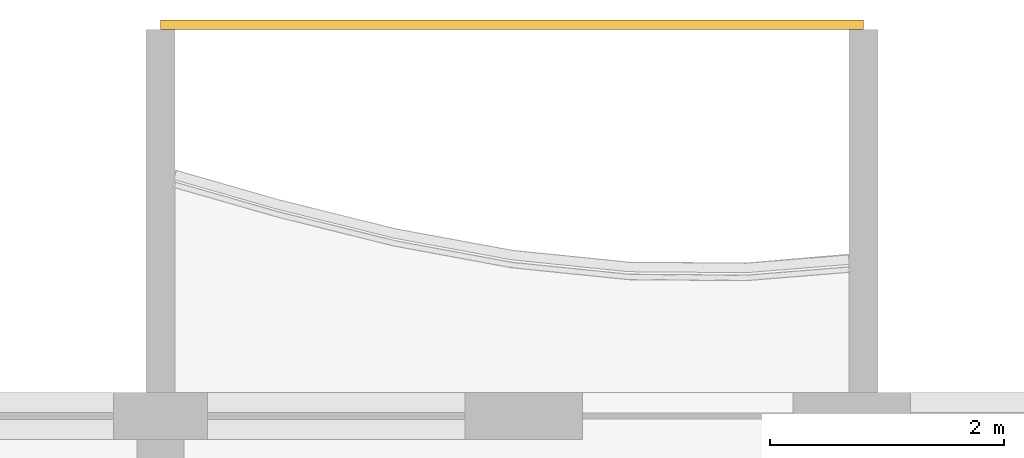
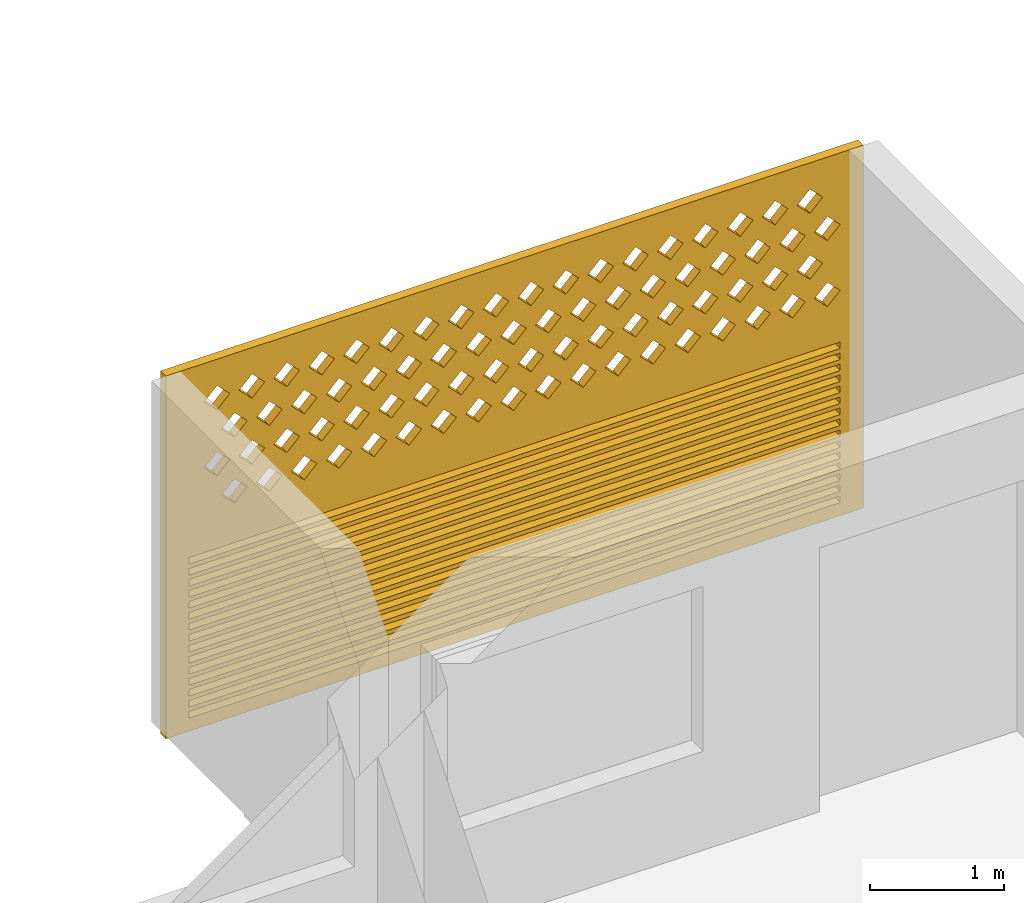
# One storey, part 27 of 38: 1 covering.
"""IFC4 building model written with IfcOpenShell, lengths in metres."""

from ifc_helpers import new_model, si_unit, direction, frame, origin, place, context, subcontext, project, spatial, polyline, outline, extrude, source, transform, mapped, material, material_profile, profile_set, type_object, element, save


model = new_model("IFC4")

# Units and contexts
model_context = context("Model", 3, precision=1e-05, world=origin(), true_north=direction((0.0, 1.0)))
body_context = subcontext(model_context, "Body", "Model", "MODEL_VIEW")
ifc_project = project(units=[si_unit("LENGTHUNIT", "METRE"), si_unit("AREAUNIT", "SQUARE_METRE"), si_unit("VOLUMEUNIT", "CUBIC_METRE"), si_unit("PLANEANGLEUNIT", "RADIAN"), si_unit("MASSUNIT", "GRAM", prefix="KILO")], contexts=[model_context])

# Site, building, storey
site_placement = place(None, origin())
site = spatial("IfcSite", under=ifc_project, at=site_placement, CompositionType="ELEMENT")
building_placement = place(site_placement, origin())
building = spatial("IfcBuilding", under=site, at=building_placement, Name="Poui Terraces", CompositionType="ELEMENT")
storey_placement = place(building_placement, frame((0.0, 0.0, 46.5)))
storey = spatial("IfcBuildingStorey", under=building, at=storey_placement, Name="L12", CompositionType="ELEMENT", Elevation=46.5)

# Covering
ifc_material = material(Name="Terracotta screen", Category="masonry")
ifc_material_profile = material_profile(ifc_material, outline(polyline([(-3.0, -1.64990234375), (3.0, -1.64990234375), (3.0, 1.64990234375), (-3.0, 1.64990234375), (-3.0, -1.64990234375)]), holes=[polyline([(-2.800048828125, 0.39990234375), (-2.68994140625, 0.2900390625), (-2.580078125, 0.39990234375), (-2.68994140625, 0.510009765625), (-2.800048828125, 0.39990234375)]), polyline([(-2.5, 0.39990234375), (-2.389892578125, 0.2900390625), (-2.280029296875, 0.39990234375), (-2.389892578125, 0.510009765625), (-2.5, 0.39990234375)]), polyline([(-2.199951171875, 0.39990234375), (-2.090087890625, 0.2900390625), (-1.97998046875, 0.39990234375), (-2.090087890625, 0.510009765625), (-2.199951171875, 0.39990234375)]), polyline([(-1.89990234375, 0.39990234375), (-1.7900390625, 0.2900390625), (-1.679931640625, 0.39990234375), (-1.7900390625, 0.510009765625), (-1.89990234375, 0.39990234375)]), polyline([(-1.60009765625, 0.39990234375), (-1.489990234375, 0.2900390625), (-1.3798828125, 0.39990234375), (-1.489990234375, 0.510009765625), (-1.60009765625, 0.39990234375)]), polyline([(-1.300048828125, 0.39990234375), (-1.18994140625, 0.2900390625), (-1.080078125, 0.39990234375), (-1.18994140625, 0.510009765625), (-1.300048828125, 0.39990234375)]), polyline([(-1.0, 0.39990234375), (-0.889892578125, 0.2900390625), (-0.780029296875, 0.39990234375), (-0.889892578125, 0.510009765625), (-1.0, 0.39990234375)]), polyline([(-0.699951171875, 0.39990234375), (-0.590087890625, 0.2900390625), (-0.47998046875, 0.39990234375), (-0.590087890625, 0.510009765625), (-0.699951171875, 0.39990234375)]), polyline([(-0.39990234375, 0.39990234375), (-0.2900390625, 0.2900390625), (-0.179931640625, 0.39990234375), (-0.2900390625, 0.510009765625), (-0.39990234375, 0.39990234375)]), polyline([(-0.10009765625, 0.39990234375), (0.010009765625, 0.2900390625), (0.1201171875, 0.39990234375), (0.010009765625, 0.510009765625), (-0.10009765625, 0.39990234375)]), polyline([(0.199951171875, 0.39990234375), (0.31005859375, 0.2900390625), (0.419921875, 0.39990234375), (0.31005859375, 0.510009765625), (0.199951171875, 0.39990234375)]), polyline([(0.5, 0.39990234375), (0.610107421875, 0.2900390625), (0.719970703125, 0.39990234375), (0.610107421875, 0.510009765625), (0.5, 0.39990234375)]), polyline([(0.800048828125, 0.39990234375), (0.909912109375, 0.2900390625), (1.02001953125, 0.39990234375), (0.909912109375, 0.510009765625), (0.800048828125, 0.39990234375)]), polyline([(1.10009765625, 0.39990234375), (1.2099609375, 0.2900390625), (1.320068359375, 0.39990234375), (1.2099609375, 0.510009765625), (1.10009765625, 0.39990234375)]), polyline([(1.39990234375, 0.39990234375), (1.510009765625, 0.2900390625), (1.6201171875, 0.39990234375), (1.510009765625, 0.510009765625), (1.39990234375, 0.39990234375)]), polyline([(1.699951171875, 0.39990234375), (1.81005859375, 0.2900390625), (1.919921875, 0.39990234375), (1.81005859375, 0.510009765625), (1.699951171875, 0.39990234375)]), polyline([(2.0, 0.39990234375), (2.110107421875, 0.2900390625), (2.219970703125, 0.39990234375), (2.110107421875, 0.510009765625), (2.0, 0.39990234375)]), polyline([(2.300048828125, 0.39990234375), (2.409912109375, 0.2900390625), (2.52001953125, 0.39990234375), (2.409912109375, 0.510009765625), (2.300048828125, 0.39990234375)]), polyline([(-2.64990234375, 0.699951171875), (-2.5400390625, 0.590087890625), (-2.429931640625, 0.699951171875), (-2.5400390625, 0.81005859375), (-2.64990234375, 0.699951171875)]), polyline([(-2.35009765625, 0.699951171875), (-2.239990234375, 0.590087890625), (-2.1298828125, 0.699951171875), (-2.239990234375, 0.81005859375), (-2.35009765625, 0.699951171875)]), polyline([(-2.050048828125, 0.699951171875), (-1.93994140625, 0.590087890625), (-1.830078125, 0.699951171875), (-1.93994140625, 0.81005859375), (-2.050048828125, 0.699951171875)]), polyline([(-1.75, 0.699951171875), (-1.639892578125, 0.590087890625), (-1.530029296875, 0.699951171875), (-1.639892578125, 0.81005859375), (-1.75, 0.699951171875)]), polyline([(-1.449951171875, 0.699951171875), (-1.340087890625, 0.590087890625), (-1.22998046875, 0.699951171875), (-1.340087890625, 0.81005859375), (-1.449951171875, 0.699951171875)]), polyline([(-1.14990234375, 0.699951171875), (-1.0400390625, 0.590087890625), (-0.929931640625, 0.699951171875), (-1.0400390625, 0.81005859375), (-1.14990234375, 0.699951171875)]), polyline([(-0.85009765625, 0.699951171875), (-0.739990234375, 0.590087890625), (-0.6298828125, 0.699951171875), (-0.739990234375, 0.81005859375), (-0.85009765625, 0.699951171875)]), polyline([(-0.550048828125, 0.699951171875), (-0.43994140625, 0.590087890625), (-0.330078125, 0.699951171875), (-0.43994140625, 0.81005859375), (-0.550048828125, 0.699951171875)]), polyline([(-0.25, 0.699951171875), (-0.139892578125, 0.590087890625), (-0.030029296875, 0.699951171875), (-0.139892578125, 0.81005859375), (-0.25, 0.699951171875)]), polyline([(0.050048828125, 0.699951171875), (0.159912109375, 0.590087890625), (0.27001953125, 0.699951171875), (0.159912109375, 0.81005859375), (0.050048828125, 0.699951171875)]), polyline([(0.35009765625, 0.699951171875), (0.4599609375, 0.590087890625), (0.570068359375, 0.699951171875), (0.4599609375, 0.81005859375), (0.35009765625, 0.699951171875)]), polyline([(0.64990234375, 0.699951171875), (0.760009765625, 0.590087890625), (0.8701171875, 0.699951171875), (0.760009765625, 0.81005859375), (0.64990234375, 0.699951171875)]), polyline([(0.949951171875, 0.699951171875), (1.06005859375, 0.590087890625), (1.169921875, 0.699951171875), (1.06005859375, 0.81005859375), (0.949951171875, 0.699951171875)]), polyline([(1.25, 0.699951171875), (1.360107421875, 0.590087890625), (1.469970703125, 0.699951171875), (1.360107421875, 0.81005859375), (1.25, 0.699951171875)]), polyline([(1.550048828125, 0.699951171875), (1.659912109375, 0.590087890625), (1.77001953125, 0.699951171875), (1.659912109375, 0.81005859375), (1.550048828125, 0.699951171875)]), polyline([(1.85009765625, 0.699951171875), (1.9599609375, 0.590087890625), (2.070068359375, 0.699951171875), (1.9599609375, 0.81005859375), (1.85009765625, 0.699951171875)]), polyline([(2.14990234375, 0.699951171875), (2.260009765625, 0.590087890625), (2.3701171875, 0.699951171875), (2.260009765625, 0.81005859375), (2.14990234375, 0.699951171875)]), polyline([(2.449951171875, 0.699951171875), (2.56005859375, 0.590087890625), (2.669921875, 0.699951171875), (2.56005859375, 0.81005859375), (2.449951171875, 0.699951171875)]), polyline([(-2.800048828125, 1.0), (-2.68994140625, 0.889892578125), (-2.580078125, 1.0), (-2.68994140625, 1.110107421875), (-2.800048828125, 1.0)]), polyline([(-2.5, 1.0), (-2.389892578125, 0.889892578125), (-2.280029296875, 1.0), (-2.389892578125, 1.110107421875), (-2.5, 1.0)]), polyline([(-2.199951171875, 1.0), (-2.090087890625, 0.889892578125), (-1.97998046875, 1.0), (-2.090087890625, 1.110107421875), (-2.199951171875, 1.0)]), polyline([(-1.89990234375, 1.0), (-1.7900390625, 0.889892578125), (-1.679931640625, 1.0), (-1.7900390625, 1.110107421875), (-1.89990234375, 1.0)]), polyline([(-1.60009765625, 1.0), (-1.489990234375, 0.889892578125), (-1.3798828125, 1.0), (-1.489990234375, 1.110107421875), (-1.60009765625, 1.0)]), polyline([(-1.300048828125, 1.0), (-1.18994140625, 0.889892578125), (-1.080078125, 1.0), (-1.18994140625, 1.110107421875), (-1.300048828125, 1.0)]), polyline([(-1.0, 1.0), (-0.889892578125, 0.889892578125), (-0.780029296875, 1.0), (-0.889892578125, 1.110107421875), (-1.0, 1.0)]), polyline([(-0.699951171875, 1.0), (-0.590087890625, 0.889892578125), (-0.47998046875, 1.0), (-0.590087890625, 1.110107421875), (-0.699951171875, 1.0)]), polyline([(-0.39990234375, 1.0), (-0.2900390625, 0.889892578125), (-0.179931640625, 1.0), (-0.2900390625, 1.110107421875), (-0.39990234375, 1.0)]), polyline([(-0.10009765625, 1.0), (0.010009765625, 0.889892578125), (0.1201171875, 1.0), (0.010009765625, 1.110107421875), (-0.10009765625, 1.0)]), polyline([(0.199951171875, 1.0), (0.31005859375, 0.889892578125), (0.419921875, 1.0), (0.31005859375, 1.110107421875), (0.199951171875, 1.0)]), polyline([(0.5, 1.0), (0.610107421875, 0.889892578125), (0.719970703125, 1.0), (0.610107421875, 1.110107421875), (0.5, 1.0)]), polyline([(0.800048828125, 1.0), (0.909912109375, 0.889892578125), (1.02001953125, 1.0), (0.909912109375, 1.110107421875), (0.800048828125, 1.0)]), polyline([(1.10009765625, 1.0), (1.2099609375, 0.889892578125), (1.320068359375, 1.0), (1.2099609375, 1.110107421875), (1.10009765625, 1.0)]), polyline([(1.39990234375, 1.0), (1.510009765625, 0.889892578125), (1.6201171875, 1.0), (1.510009765625, 1.110107421875), (1.39990234375, 1.0)]), polyline([(1.699951171875, 1.0), (1.81005859375, 0.889892578125), (1.919921875, 1.0), (1.81005859375, 1.110107421875), (1.699951171875, 1.0)]), polyline([(2.0, 1.0), (2.110107421875, 0.889892578125), (2.219970703125, 1.0), (2.110107421875, 1.110107421875), (2.0, 1.0)]), polyline([(2.300048828125, 1.0), (2.409912109375, 0.889892578125), (2.52001953125, 1.0), (2.409912109375, 1.110107421875), (2.300048828125, 1.0)]), polyline([(-2.64990234375, 1.300048828125), (-2.5400390625, 1.18994140625), (-2.429931640625, 1.300048828125), (-2.5400390625, 1.409912109375), (-2.64990234375, 1.300048828125)]), polyline([(-2.35009765625, 1.300048828125), (-2.239990234375, 1.18994140625), (-2.1298828125, 1.300048828125), (-2.239990234375, 1.409912109375), (-2.35009765625, 1.300048828125)]), polyline([(-2.050048828125, 1.300048828125), (-1.93994140625, 1.18994140625), (-1.830078125, 1.300048828125), (-1.93994140625, 1.409912109375), (-2.050048828125, 1.300048828125)]), polyline([(-1.75, 1.300048828125), (-1.639892578125, 1.18994140625), (-1.530029296875, 1.300048828125), (-1.639892578125, 1.409912109375), (-1.75, 1.300048828125)]), polyline([(-1.449951171875, 1.300048828125), (-1.340087890625, 1.18994140625), (-1.22998046875, 1.300048828125), (-1.340087890625, 1.409912109375), (-1.449951171875, 1.300048828125)]), polyline([(-1.14990234375, 1.300048828125), (-1.0400390625, 1.18994140625), (-0.929931640625, 1.300048828125), (-1.0400390625, 1.409912109375), (-1.14990234375, 1.300048828125)]), polyline([(-0.85009765625, 1.300048828125), (-0.739990234375, 1.18994140625), (-0.6298828125, 1.300048828125), (-0.739990234375, 1.409912109375), (-0.85009765625, 1.300048828125)]), polyline([(-0.550048828125, 1.300048828125), (-0.43994140625, 1.18994140625), (-0.330078125, 1.300048828125), (-0.43994140625, 1.409912109375), (-0.550048828125, 1.300048828125)]), polyline([(-0.25, 1.300048828125), (-0.139892578125, 1.18994140625), (-0.030029296875, 1.300048828125), (-0.139892578125, 1.409912109375), (-0.25, 1.300048828125)]), polyline([(0.050048828125, 1.300048828125), (0.159912109375, 1.18994140625), (0.27001953125, 1.300048828125), (0.159912109375, 1.409912109375), (0.050048828125, 1.300048828125)]), polyline([(0.35009765625, 1.300048828125), (0.4599609375, 1.18994140625), (0.570068359375, 1.300048828125), (0.4599609375, 1.409912109375), (0.35009765625, 1.300048828125)]), polyline([(0.64990234375, 1.300048828125), (0.760009765625, 1.18994140625), (0.8701171875, 1.300048828125), (0.760009765625, 1.409912109375), (0.64990234375, 1.300048828125)]), polyline([(0.949951171875, 1.300048828125), (1.06005859375, 1.18994140625), (1.169921875, 1.300048828125), (1.06005859375, 1.409912109375), (0.949951171875, 1.300048828125)]), polyline([(1.25, 1.300048828125), (1.360107421875, 1.18994140625), (1.469970703125, 1.300048828125), (1.360107421875, 1.409912109375), (1.25, 1.300048828125)]), polyline([(1.550048828125, 1.300048828125), (1.659912109375, 1.18994140625), (1.77001953125, 1.300048828125), (1.659912109375, 1.409912109375), (1.550048828125, 1.300048828125)]), polyline([(1.85009765625, 1.300048828125), (1.9599609375, 1.18994140625), (2.070068359375, 1.300048828125), (1.9599609375, 1.409912109375), (1.85009765625, 1.300048828125)]), polyline([(2.14990234375, 1.300048828125), (2.260009765625, 1.18994140625), (2.3701171875, 1.300048828125), (2.260009765625, 1.409912109375), (2.14990234375, 1.300048828125)]), polyline([(2.449951171875, 1.300048828125), (2.56005859375, 1.18994140625), (2.669921875, 1.300048828125), (2.56005859375, 1.409912109375), (2.449951171875, 1.300048828125)]), polyline([(-2.800048828125, -1.530029296875), (2.800048828125, -1.530029296875), (2.800048828125, -1.469970703125), (-2.800048828125, -1.469970703125), (-2.800048828125, -1.530029296875)]), polyline([(-2.800048828125, -1.429931640625), (2.800048828125, -1.429931640625), (2.800048828125, -1.3701171875), (-2.800048828125, -1.3701171875), (-2.800048828125, -1.429931640625)]), polyline([(-2.800048828125, -1.330078125), (2.800048828125, -1.330078125), (2.800048828125, -1.27001953125), (-2.800048828125, -1.27001953125), (-2.800048828125, -1.330078125)]), polyline([(-2.800048828125, -1.22998046875), (2.800048828125, -1.22998046875), (2.800048828125, -1.169921875), (-2.800048828125, -1.169921875), (-2.800048828125, -1.22998046875)]), polyline([(-2.800048828125, -1.1298828125), (2.800048828125, -1.1298828125), (2.800048828125, -1.070068359375), (-2.800048828125, -1.070068359375), (-2.800048828125, -1.1298828125)]), polyline([(-2.800048828125, -1.030029296875), (2.800048828125, -1.030029296875), (2.800048828125, -0.969970703125), (-2.800048828125, -0.969970703125), (-2.800048828125, -1.030029296875)]), polyline([(-2.800048828125, -0.929931640625), (2.800048828125, -0.929931640625), (2.800048828125, -0.8701171875), (-2.800048828125, -0.8701171875), (-2.800048828125, -0.929931640625)]), polyline([(-2.800048828125, -0.830078125), (2.800048828125, -0.830078125), (2.800048828125, -0.77001953125), (-2.800048828125, -0.77001953125), (-2.800048828125, -0.830078125)]), polyline([(-2.800048828125, -0.72998046875), (2.800048828125, -0.72998046875), (2.800048828125, -0.669921875), (-2.800048828125, -0.669921875), (-2.800048828125, -0.72998046875)]), polyline([(-2.800048828125, -0.6298828125), (2.800048828125, -0.6298828125), (2.800048828125, -0.570068359375), (-2.800048828125, -0.570068359375), (-2.800048828125, -0.6298828125)]), polyline([(-2.800048828125, -0.530029296875), (2.800048828125, -0.530029296875), (2.800048828125, -0.469970703125), (-2.800048828125, -0.469970703125), (-2.800048828125, -0.530029296875)]), polyline([(-2.800048828125, -0.429931640625), (2.800048828125, -0.429931640625), (2.800048828125, -0.3701171875), (-2.800048828125, -0.3701171875), (-2.800048828125, -0.429931640625)]), polyline([(-2.800048828125, -0.330078125), (2.800048828125, -0.330078125), (2.800048828125, -0.27001953125), (-2.800048828125, -0.27001953125), (-2.800048828125, -0.330078125)]), polyline([(-2.800048828125, -0.22998046875), (2.800048828125, -0.22998046875), (2.800048828125, -0.169921875), (-2.800048828125, -0.169921875), (-2.800048828125, -0.22998046875)]), polyline([(-2.800048828125, -0.1298828125), (2.800048828125, -0.1298828125), (2.800048828125, -0.070068359375), (-2.800048828125, -0.070068359375), (-2.800048828125, -0.1298828125)])]), Name="TERRACOTTA SCREEN AND JALOUSIE LOUVRE 6000X3300")
ifc_profile_set = profile_set([ifc_material_profile], Name="Terracotta screen")
covering_type = type_object("IfcCoveringType", Name="TERRACOTTA SCREEN AND JALOUSIE LOUVRE 6000X3300", PredefinedType="CLADDING", material=ifc_profile_set)
shared_shape = source(origin(), body_context, "Body", "SweptSolid", [
    extrude(outline(polyline([(-3.0, -1.64990234375), (3.0, -1.64990234375), (3.0, 1.64990234375), (-3.0, 1.64990234375), (-3.0, -1.64990234375)]), holes=[polyline([(-2.800048828125, 0.39990234375), (-2.68994140625, 0.2900390625), (-2.580078125, 0.39990234375), (-2.68994140625, 0.510009765625), (-2.800048828125, 0.39990234375)]), polyline([(-2.5, 0.39990234375), (-2.389892578125, 0.2900390625), (-2.280029296875, 0.39990234375), (-2.389892578125, 0.510009765625), (-2.5, 0.39990234375)]), polyline([(-2.199951171875, 0.39990234375), (-2.090087890625, 0.2900390625), (-1.97998046875, 0.39990234375), (-2.090087890625, 0.510009765625), (-2.199951171875, 0.39990234375)]), polyline([(-1.89990234375, 0.39990234375), (-1.7900390625, 0.2900390625), (-1.679931640625, 0.39990234375), (-1.7900390625, 0.510009765625), (-1.89990234375, 0.39990234375)]), polyline([(-1.60009765625, 0.39990234375), (-1.489990234375, 0.2900390625), (-1.3798828125, 0.39990234375), (-1.489990234375, 0.510009765625), (-1.60009765625, 0.39990234375)]), polyline([(-1.300048828125, 0.39990234375), (-1.18994140625, 0.2900390625), (-1.080078125, 0.39990234375), (-1.18994140625, 0.510009765625), (-1.300048828125, 0.39990234375)]), polyline([(-1.0, 0.39990234375), (-0.889892578125, 0.2900390625), (-0.780029296875, 0.39990234375), (-0.889892578125, 0.510009765625), (-1.0, 0.39990234375)]), polyline([(-0.699951171875, 0.39990234375), (-0.590087890625, 0.2900390625), (-0.47998046875, 0.39990234375), (-0.590087890625, 0.510009765625), (-0.699951171875, 0.39990234375)]), polyline([(-0.39990234375, 0.39990234375), (-0.2900390625, 0.2900390625), (-0.179931640625, 0.39990234375), (-0.2900390625, 0.510009765625), (-0.39990234375, 0.39990234375)]), polyline([(-0.10009765625, 0.39990234375), (0.010009765625, 0.2900390625), (0.1201171875, 0.39990234375), (0.010009765625, 0.510009765625), (-0.10009765625, 0.39990234375)]), polyline([(0.199951171875, 0.39990234375), (0.31005859375, 0.2900390625), (0.419921875, 0.39990234375), (0.31005859375, 0.510009765625), (0.199951171875, 0.39990234375)]), polyline([(0.5, 0.39990234375), (0.610107421875, 0.2900390625), (0.719970703125, 0.39990234375), (0.610107421875, 0.510009765625), (0.5, 0.39990234375)]), polyline([(0.800048828125, 0.39990234375), (0.909912109375, 0.2900390625), (1.02001953125, 0.39990234375), (0.909912109375, 0.510009765625), (0.800048828125, 0.39990234375)]), polyline([(1.10009765625, 0.39990234375), (1.2099609375, 0.2900390625), (1.320068359375, 0.39990234375), (1.2099609375, 0.510009765625), (1.10009765625, 0.39990234375)]), polyline([(1.39990234375, 0.39990234375), (1.510009765625, 0.2900390625), (1.6201171875, 0.39990234375), (1.510009765625, 0.510009765625), (1.39990234375, 0.39990234375)]), polyline([(1.699951171875, 0.39990234375), (1.81005859375, 0.2900390625), (1.919921875, 0.39990234375), (1.81005859375, 0.510009765625), (1.699951171875, 0.39990234375)]), polyline([(2.0, 0.39990234375), (2.110107421875, 0.2900390625), (2.219970703125, 0.39990234375), (2.110107421875, 0.510009765625), (2.0, 0.39990234375)]), polyline([(2.300048828125, 0.39990234375), (2.409912109375, 0.2900390625), (2.52001953125, 0.39990234375), (2.409912109375, 0.510009765625), (2.300048828125, 0.39990234375)]), polyline([(-2.64990234375, 0.699951171875), (-2.5400390625, 0.590087890625), (-2.429931640625, 0.699951171875), (-2.5400390625, 0.81005859375), (-2.64990234375, 0.699951171875)]), polyline([(-2.35009765625, 0.699951171875), (-2.239990234375, 0.590087890625), (-2.1298828125, 0.699951171875), (-2.239990234375, 0.81005859375), (-2.35009765625, 0.699951171875)]), polyline([(-2.050048828125, 0.699951171875), (-1.93994140625, 0.590087890625), (-1.830078125, 0.699951171875), (-1.93994140625, 0.81005859375), (-2.050048828125, 0.699951171875)]), polyline([(-1.75, 0.699951171875), (-1.639892578125, 0.590087890625), (-1.530029296875, 0.699951171875), (-1.639892578125, 0.81005859375), (-1.75, 0.699951171875)]), polyline([(-1.449951171875, 0.699951171875), (-1.340087890625, 0.590087890625), (-1.22998046875, 0.699951171875), (-1.340087890625, 0.81005859375), (-1.449951171875, 0.699951171875)]), polyline([(-1.14990234375, 0.699951171875), (-1.0400390625, 0.590087890625), (-0.929931640625, 0.699951171875), (-1.0400390625, 0.81005859375), (-1.14990234375, 0.699951171875)]), polyline([(-0.85009765625, 0.699951171875), (-0.739990234375, 0.590087890625), (-0.6298828125, 0.699951171875), (-0.739990234375, 0.81005859375), (-0.85009765625, 0.699951171875)]), polyline([(-0.550048828125, 0.699951171875), (-0.43994140625, 0.590087890625), (-0.330078125, 0.699951171875), (-0.43994140625, 0.81005859375), (-0.550048828125, 0.699951171875)]), polyline([(-0.25, 0.699951171875), (-0.139892578125, 0.590087890625), (-0.030029296875, 0.699951171875), (-0.139892578125, 0.81005859375), (-0.25, 0.699951171875)]), polyline([(0.050048828125, 0.699951171875), (0.159912109375, 0.590087890625), (0.27001953125, 0.699951171875), (0.159912109375, 0.81005859375), (0.050048828125, 0.699951171875)]), polyline([(0.35009765625, 0.699951171875), (0.4599609375, 0.590087890625), (0.570068359375, 0.699951171875), (0.4599609375, 0.81005859375), (0.35009765625, 0.699951171875)]), polyline([(0.64990234375, 0.699951171875), (0.760009765625, 0.590087890625), (0.8701171875, 0.699951171875), (0.760009765625, 0.81005859375), (0.64990234375, 0.699951171875)]), polyline([(0.949951171875, 0.699951171875), (1.06005859375, 0.590087890625), (1.169921875, 0.699951171875), (1.06005859375, 0.81005859375), (0.949951171875, 0.699951171875)]), polyline([(1.25, 0.699951171875), (1.360107421875, 0.590087890625), (1.469970703125, 0.699951171875), (1.360107421875, 0.81005859375), (1.25, 0.699951171875)]), polyline([(1.550048828125, 0.699951171875), (1.659912109375, 0.590087890625), (1.77001953125, 0.699951171875), (1.659912109375, 0.81005859375), (1.550048828125, 0.699951171875)]), polyline([(1.85009765625, 0.699951171875), (1.9599609375, 0.590087890625), (2.070068359375, 0.699951171875), (1.9599609375, 0.81005859375), (1.85009765625, 0.699951171875)]), polyline([(2.14990234375, 0.699951171875), (2.260009765625, 0.590087890625), (2.3701171875, 0.699951171875), (2.260009765625, 0.81005859375), (2.14990234375, 0.699951171875)]), polyline([(2.449951171875, 0.699951171875), (2.56005859375, 0.590087890625), (2.669921875, 0.699951171875), (2.56005859375, 0.81005859375), (2.449951171875, 0.699951171875)]), polyline([(-2.800048828125, 1.0), (-2.68994140625, 0.889892578125), (-2.580078125, 1.0), (-2.68994140625, 1.110107421875), (-2.800048828125, 1.0)]), polyline([(-2.5, 1.0), (-2.389892578125, 0.889892578125), (-2.280029296875, 1.0), (-2.389892578125, 1.110107421875), (-2.5, 1.0)]), polyline([(-2.199951171875, 1.0), (-2.090087890625, 0.889892578125), (-1.97998046875, 1.0), (-2.090087890625, 1.110107421875), (-2.199951171875, 1.0)]), polyline([(-1.89990234375, 1.0), (-1.7900390625, 0.889892578125), (-1.679931640625, 1.0), (-1.7900390625, 1.110107421875), (-1.89990234375, 1.0)]), polyline([(-1.60009765625, 1.0), (-1.489990234375, 0.889892578125), (-1.3798828125, 1.0), (-1.489990234375, 1.110107421875), (-1.60009765625, 1.0)]), polyline([(-1.300048828125, 1.0), (-1.18994140625, 0.889892578125), (-1.080078125, 1.0), (-1.18994140625, 1.110107421875), (-1.300048828125, 1.0)]), polyline([(-1.0, 1.0), (-0.889892578125, 0.889892578125), (-0.780029296875, 1.0), (-0.889892578125, 1.110107421875), (-1.0, 1.0)]), polyline([(-0.699951171875, 1.0), (-0.590087890625, 0.889892578125), (-0.47998046875, 1.0), (-0.590087890625, 1.110107421875), (-0.699951171875, 1.0)]), polyline([(-0.39990234375, 1.0), (-0.2900390625, 0.889892578125), (-0.179931640625, 1.0), (-0.2900390625, 1.110107421875), (-0.39990234375, 1.0)]), polyline([(-0.10009765625, 1.0), (0.010009765625, 0.889892578125), (0.1201171875, 1.0), (0.010009765625, 1.110107421875), (-0.10009765625, 1.0)]), polyline([(0.199951171875, 1.0), (0.31005859375, 0.889892578125), (0.419921875, 1.0), (0.31005859375, 1.110107421875), (0.199951171875, 1.0)]), polyline([(0.5, 1.0), (0.610107421875, 0.889892578125), (0.719970703125, 1.0), (0.610107421875, 1.110107421875), (0.5, 1.0)]), polyline([(0.800048828125, 1.0), (0.909912109375, 0.889892578125), (1.02001953125, 1.0), (0.909912109375, 1.110107421875), (0.800048828125, 1.0)]), polyline([(1.10009765625, 1.0), (1.2099609375, 0.889892578125), (1.320068359375, 1.0), (1.2099609375, 1.110107421875), (1.10009765625, 1.0)]), polyline([(1.39990234375, 1.0), (1.510009765625, 0.889892578125), (1.6201171875, 1.0), (1.510009765625, 1.110107421875), (1.39990234375, 1.0)]), polyline([(1.699951171875, 1.0), (1.81005859375, 0.889892578125), (1.919921875, 1.0), (1.81005859375, 1.110107421875), (1.699951171875, 1.0)]), polyline([(2.0, 1.0), (2.110107421875, 0.889892578125), (2.219970703125, 1.0), (2.110107421875, 1.110107421875), (2.0, 1.0)]), polyline([(2.300048828125, 1.0), (2.409912109375, 0.889892578125), (2.52001953125, 1.0), (2.409912109375, 1.110107421875), (2.300048828125, 1.0)]), polyline([(-2.64990234375, 1.300048828125), (-2.5400390625, 1.18994140625), (-2.429931640625, 1.300048828125), (-2.5400390625, 1.409912109375), (-2.64990234375, 1.300048828125)]), polyline([(-2.35009765625, 1.300048828125), (-2.239990234375, 1.18994140625), (-2.1298828125, 1.300048828125), (-2.239990234375, 1.409912109375), (-2.35009765625, 1.300048828125)]), polyline([(-2.050048828125, 1.300048828125), (-1.93994140625, 1.18994140625), (-1.830078125, 1.300048828125), (-1.93994140625, 1.409912109375), (-2.050048828125, 1.300048828125)]), polyline([(-1.75, 1.300048828125), (-1.639892578125, 1.18994140625), (-1.530029296875, 1.300048828125), (-1.639892578125, 1.409912109375), (-1.75, 1.300048828125)]), polyline([(-1.449951171875, 1.300048828125), (-1.340087890625, 1.18994140625), (-1.22998046875, 1.300048828125), (-1.340087890625, 1.409912109375), (-1.449951171875, 1.300048828125)]), polyline([(-1.14990234375, 1.300048828125), (-1.0400390625, 1.18994140625), (-0.929931640625, 1.300048828125), (-1.0400390625, 1.409912109375), (-1.14990234375, 1.300048828125)]), polyline([(-0.85009765625, 1.300048828125), (-0.739990234375, 1.18994140625), (-0.6298828125, 1.300048828125), (-0.739990234375, 1.409912109375), (-0.85009765625, 1.300048828125)]), polyline([(-0.550048828125, 1.300048828125), (-0.43994140625, 1.18994140625), (-0.330078125, 1.300048828125), (-0.43994140625, 1.409912109375), (-0.550048828125, 1.300048828125)]), polyline([(-0.25, 1.300048828125), (-0.139892578125, 1.18994140625), (-0.030029296875, 1.300048828125), (-0.139892578125, 1.409912109375), (-0.25, 1.300048828125)]), polyline([(0.050048828125, 1.300048828125), (0.159912109375, 1.18994140625), (0.27001953125, 1.300048828125), (0.159912109375, 1.409912109375), (0.050048828125, 1.300048828125)]), polyline([(0.35009765625, 1.300048828125), (0.4599609375, 1.18994140625), (0.570068359375, 1.300048828125), (0.4599609375, 1.409912109375), (0.35009765625, 1.300048828125)]), polyline([(0.64990234375, 1.300048828125), (0.760009765625, 1.18994140625), (0.8701171875, 1.300048828125), (0.760009765625, 1.409912109375), (0.64990234375, 1.300048828125)]), polyline([(0.949951171875, 1.300048828125), (1.06005859375, 1.18994140625), (1.169921875, 1.300048828125), (1.06005859375, 1.409912109375), (0.949951171875, 1.300048828125)]), polyline([(1.25, 1.300048828125), (1.360107421875, 1.18994140625), (1.469970703125, 1.300048828125), (1.360107421875, 1.409912109375), (1.25, 1.300048828125)]), polyline([(1.550048828125, 1.300048828125), (1.659912109375, 1.18994140625), (1.77001953125, 1.300048828125), (1.659912109375, 1.409912109375), (1.550048828125, 1.300048828125)]), polyline([(1.85009765625, 1.300048828125), (1.9599609375, 1.18994140625), (2.070068359375, 1.300048828125), (1.9599609375, 1.409912109375), (1.85009765625, 1.300048828125)]), polyline([(2.14990234375, 1.300048828125), (2.260009765625, 1.18994140625), (2.3701171875, 1.300048828125), (2.260009765625, 1.409912109375), (2.14990234375, 1.300048828125)]), polyline([(2.449951171875, 1.300048828125), (2.56005859375, 1.18994140625), (2.669921875, 1.300048828125), (2.56005859375, 1.409912109375), (2.449951171875, 1.300048828125)]), polyline([(-2.800048828125, -1.530029296875), (2.800048828125, -1.530029296875), (2.800048828125, -1.469970703125), (-2.800048828125, -1.469970703125), (-2.800048828125, -1.530029296875)]), polyline([(-2.800048828125, -1.429931640625), (2.800048828125, -1.429931640625), (2.800048828125, -1.3701171875), (-2.800048828125, -1.3701171875), (-2.800048828125, -1.429931640625)]), polyline([(-2.800048828125, -1.330078125), (2.800048828125, -1.330078125), (2.800048828125, -1.27001953125), (-2.800048828125, -1.27001953125), (-2.800048828125, -1.330078125)]), polyline([(-2.800048828125, -1.22998046875), (2.800048828125, -1.22998046875), (2.800048828125, -1.169921875), (-2.800048828125, -1.169921875), (-2.800048828125, -1.22998046875)]), polyline([(-2.800048828125, -1.1298828125), (2.800048828125, -1.1298828125), (2.800048828125, -1.070068359375), (-2.800048828125, -1.070068359375), (-2.800048828125, -1.1298828125)]), polyline([(-2.800048828125, -1.030029296875), (2.800048828125, -1.030029296875), (2.800048828125, -0.969970703125), (-2.800048828125, -0.969970703125), (-2.800048828125, -1.030029296875)]), polyline([(-2.800048828125, -0.929931640625), (2.800048828125, -0.929931640625), (2.800048828125, -0.8701171875), (-2.800048828125, -0.8701171875), (-2.800048828125, -0.929931640625)]), polyline([(-2.800048828125, -0.830078125), (2.800048828125, -0.830078125), (2.800048828125, -0.77001953125), (-2.800048828125, -0.77001953125), (-2.800048828125, -0.830078125)]), polyline([(-2.800048828125, -0.72998046875), (2.800048828125, -0.72998046875), (2.800048828125, -0.669921875), (-2.800048828125, -0.669921875), (-2.800048828125, -0.72998046875)]), polyline([(-2.800048828125, -0.6298828125), (2.800048828125, -0.6298828125), (2.800048828125, -0.570068359375), (-2.800048828125, -0.570068359375), (-2.800048828125, -0.6298828125)]), polyline([(-2.800048828125, -0.530029296875), (2.800048828125, -0.530029296875), (2.800048828125, -0.469970703125), (-2.800048828125, -0.469970703125), (-2.800048828125, -0.530029296875)]), polyline([(-2.800048828125, -0.429931640625), (2.800048828125, -0.429931640625), (2.800048828125, -0.3701171875), (-2.800048828125, -0.3701171875), (-2.800048828125, -0.429931640625)]), polyline([(-2.800048828125, -0.330078125), (2.800048828125, -0.330078125), (2.800048828125, -0.27001953125), (-2.800048828125, -0.27001953125), (-2.800048828125, -0.330078125)]), polyline([(-2.800048828125, -0.22998046875), (2.800048828125, -0.22998046875), (2.800048828125, -0.169921875), (-2.800048828125, -0.169921875), (-2.800048828125, -0.22998046875)]), polyline([(-2.800048828125, -0.1298828125), (2.800048828125, -0.1298828125), (2.800048828125, -0.070068359375), (-2.800048828125, -0.070068359375), (-2.800048828125, -0.1298828125)])]), origin(), (0.0, 0.0, 1.0), 0.079833984375),
])
covering_placement = place(storey_placement, frame((45.0, 48.10009765625, 1.449951171875), z_axis=(0.0, 1.0, 0.0), x_axis=(-1.0, 0.0, 0.0)))
element("IfcCovering", 1, at=covering_placement, inside=storey, type_object=covering_type, Name="SOLAR SCREEN AND JALOUSIE LOUVRE", PredefinedType="CLADDING", context=body_context, shape_type="MappedRepresentation", body=[
    mapped(shared_shape, transform((0.0, 0.0, 0.0))),
])

save(model, "model.ifc")
